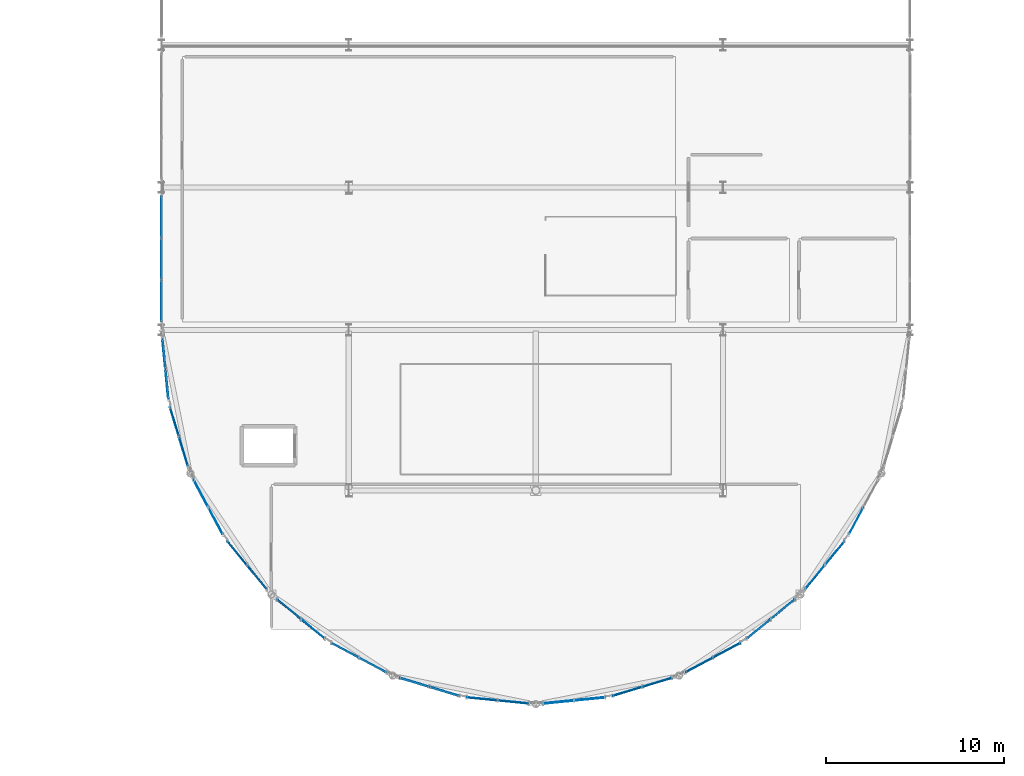
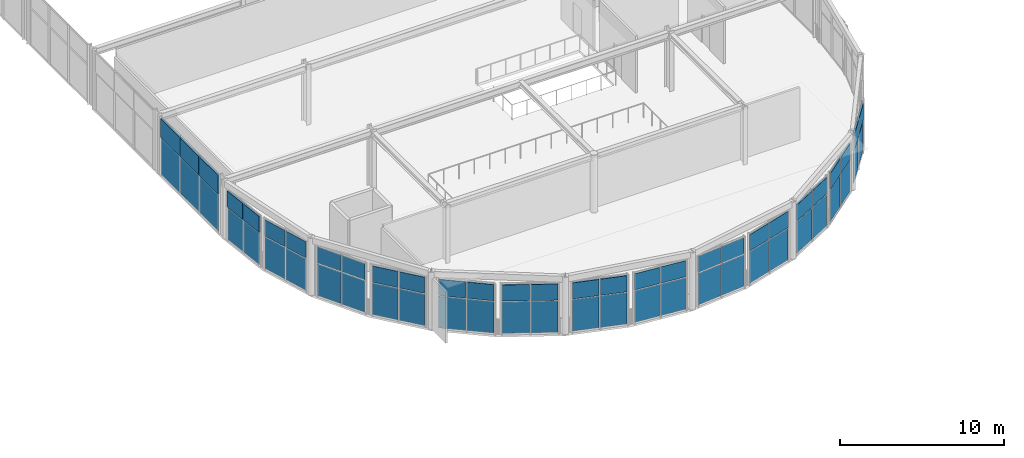
# One storey, part 52 of 105: 59 plates, 15 elements without a shape of their own.
"""IFC4 building model written with IfcOpenShell, lengths in metres."""

from ifc_helpers import new_model, si_unit, direction, frame, origin, origin_2d, place, context, subcontext, project, spatial, rectangle, extrude, material, layer, layer_set, type_object, element, aggregate, save


model = new_model("IFC4")

# Units and contexts
model_context = context("Model", 3, precision=1e-05, world=origin(), true_north=direction((0.0, 1.0)))
body_context = subcontext(model_context, "Body", "Model", "MODEL_VIEW")
ifc_project = project(units=[si_unit("LENGTHUNIT", "METRE"), si_unit("AREAUNIT", "SQUARE_METRE"), si_unit("VOLUMEUNIT", "CUBIC_METRE"), si_unit("PLANEANGLEUNIT", "RADIAN"), si_unit("MASSUNIT", "GRAM", prefix="KILO")], contexts=[model_context])

# Site, building, storey
site_placement = place(None, origin())
site = spatial("IfcSite", under=ifc_project, at=site_placement, CompositionType="ELEMENT")
building_placement = place(site_placement, origin())
building = spatial("IfcBuilding", under=site, at=building_placement, Name="Marlcrest Central Station", CompositionType="ELEMENT")
storey_placement = place(building_placement, frame((0.0, 0.0, 15.0)))
storey = spatial("IfcBuildingStorey", under=building, at=storey_placement, Name="L03", CompositionType="ELEMENT", Elevation=15.0)

# Curtain wall, plates
ifc_material_1 = material(Name="Anodised aluminium and hurricane laminated glass", Category="aluminium")
ifc_layer_1 = layer(ifc_material_1, 0.219970703125, Name="CW-U1")
ifc_layer_set_1 = layer_set([ifc_layer_1], Name="Anodised aluminium and hurricane laminated glass")
curtain_wall_type = type_object("IfcCurtainWallType", Name="CW-U1", PredefinedType="USERDEFINED", material=ifc_layer_set_1)
curtain_wall_1_placement = place(storey_placement, origin())
curtain_wall_1 = element("IfcCurtainWall", 1, at=curtain_wall_1_placement, inside=storey, type_object=curtain_wall_type, Name="cw-L03-0041", ObjectType="UNITISED_CURTAIN_WALL", PredefinedType="USERDEFINED")
ifc_material_2 = material(Name="Hurricane laminated solar-control glass", Category="glass")
ifc_layer_2 = layer(ifc_material_2, 0.031982421875, Name="CP-01")
ifc_layer_set_2 = layer_set([ifc_layer_2], Name="Hurricane laminated solar-control glass")
plate_type_1 = type_object("IfcPlateType", Name="CP-01", PredefinedType="CURTAIN_PANEL", material=ifc_layer_set_2)
plate_1_placement = place(storey_placement, frame((87.300048828125, 19.456298828125, 0.079833984375), z_axis=(0.0, 0.0, 1.0), x_axis=(-0.098138724349, 0.995172744192, 0.0)))
plate_1 = element("IfcPlate", 2, at=plate_1_placement, type_object=plate_type_1, Name="cw-L03-0041-cp-lo-0", PredefinedType="CURTAIN_PANEL", context=body_context, shape_type="SweptSolid", body=[
    extrude(rectangle(XDim=1.629150390625, YDim=0.031982421875, at=origin_2d()), origin(), (0.0, 0.0, 1.0), 2.35009765625),
])
plate_2_placement = place(storey_placement, frame((87.1328125, 21.153076171875, 0.079833984375), z_axis=(0.0, 0.0, 1.0), x_axis=(-0.098138724349, 0.995172744192, 0.0)))
plate_2 = element("IfcPlate", 3, at=plate_2_placement, type_object=plate_type_1, Name="cw-L03-0041-cp-lo-1", PredefinedType="CURTAIN_PANEL", context=body_context, shape_type="SweptSolid", body=[
    extrude(rectangle(XDim=1.629150390625, YDim=0.031982421875, at=origin_2d()), origin(), (0.0, 0.0, 1.0), 2.35009765625),
])

curtain_wall_2_placement = place(storey_placement, origin())
curtain_wall_2 = element("IfcCurtainWall", 4, at=curtain_wall_2_placement, inside=storey, type_object=curtain_wall_type, Name="cw-L03-0042", ObjectType="UNITISED_CURTAIN_WALL", PredefinedType="USERDEFINED")
plate_3_placement = place(storey_placement, frame((88.227294921875, 15.689453125, 0.079833984375), z_axis=(0.0, 0.0, 1.0), x_axis=(-0.290318080597, 0.956930202302, 0.0)))
plate_3 = element("IfcPlate", 5, at=plate_3_placement, type_object=plate_type_1, Name="cw-L03-0042-cp-lo-0", PredefinedType="CURTAIN_PANEL", context=body_context, shape_type="SweptSolid", body=[
    extrude(rectangle(XDim=1.67724609375, YDim=0.031982421875, at=origin_2d()), origin(), (0.0, 0.0, 1.0), 2.35009765625),
])
plate_4_placement = place(storey_placement, frame((87.71826171875, 17.3671875, 0.079833984375), z_axis=(0.0, 0.0, 1.0), x_axis=(-0.290318080597, 0.956930202302, 0.0)))
plate_4 = element("IfcPlate", 6, at=plate_4_placement, type_object=plate_type_1, Name="cw-L03-0042-cp-lo-1", PredefinedType="CURTAIN_PANEL", context=body_context, shape_type="SweptSolid", body=[
    extrude(rectangle(XDim=1.67724609375, YDim=0.031982421875, at=origin_2d()), origin(), (0.0, 0.0, 1.0), 2.35009765625),
])

curtain_wall_3_placement = place(storey_placement, origin())
curtain_wall_3 = element("IfcCurtainWall", 7, at=curtain_wall_3_placement, inside=storey, type_object=curtain_wall_type, Name="cw-L03-0043", ObjectType="UNITISED_CURTAIN_WALL", PredefinedType="USERDEFINED")
plate_5_placement = place(storey_placement, frame((90.02880859375, 11.787841796875, 0.079833984375), z_axis=(0.0, 0.0, 1.0), x_axis=(-0.471242805349, 0.882003525167, 0.0)))
plate_5 = element("IfcPlate", 8, at=plate_5_placement, type_object=plate_type_1, Name="cw-L03-0043-cp-lo-0", PredefinedType="CURTAIN_PANEL", context=body_context, shape_type="SweptSolid", body=[
    extrude(rectangle(XDim=1.677490234375, YDim=0.031982421875, at=origin_2d()), origin(), (0.0, 0.0, 1.0), 2.35009765625),
])
plate_6_placement = place(storey_placement, frame((89.20263671875, 13.33447265625, 0.079833984375), z_axis=(0.0, 0.0, 1.0), x_axis=(-0.471242805349, 0.882003525167, 0.0)))
plate_6 = element("IfcPlate", 9, at=plate_6_placement, type_object=plate_type_1, Name="cw-L03-0043-cp-lo-1", PredefinedType="CURTAIN_PANEL", context=body_context, shape_type="SweptSolid", body=[
    extrude(rectangle(XDim=1.677490234375, YDim=0.031982421875, at=origin_2d()), origin(), (0.0, 0.0, 1.0), 2.35009765625),
])

curtain_wall_4_placement = place(storey_placement, origin())
curtain_wall_4 = element("IfcCurtainWall", 10, at=curtain_wall_4_placement, inside=storey, type_object=curtain_wall_type, Name="cw-L03-0044", ObjectType="UNITISED_CURTAIN_WALL", PredefinedType="USERDEFINED")
plate_7_placement = place(storey_placement, frame((92.33837890625, 8.640869140625, 0.079833984375), z_axis=(0.0, 0.0, 1.0), x_axis=(-0.63447423015, 0.772944015615, 0.0)))
plate_7 = element("IfcPlate", 11, at=plate_7_placement, type_object=plate_type_1, Name="cw-L03-0044-cp-lo-0", PredefinedType="CURTAIN_PANEL", context=body_context, shape_type="SweptSolid", body=[
    extrude(rectangle(XDim=1.677490234375, YDim=0.031982421875, at=origin_2d()), origin(), (0.0, 0.0, 1.0), 2.35009765625),
])
plate_8_placement = place(storey_placement, frame((91.225830078125, 9.99609375, 0.079833984375), z_axis=(0.0, 0.0, 1.0), x_axis=(-0.63447423015, 0.772944015615, 0.0)))
plate_8 = element("IfcPlate", 12, at=plate_8_placement, type_object=plate_type_1, Name="cw-L03-0044-cp-lo-1", PredefinedType="CURTAIN_PANEL", context=body_context, shape_type="SweptSolid", body=[
    extrude(rectangle(XDim=1.677490234375, YDim=0.031982421875, at=origin_2d()), origin(), (0.0, 0.0, 1.0), 2.35009765625),
])

curtain_wall_5_placement = place(storey_placement, origin())
curtain_wall_5 = element("IfcCurtainWall", 13, at=curtain_wall_5_placement, inside=storey, type_object=curtain_wall_type, Name="cw-L03-0045", ObjectType="UNITISED_CURTAIN_WALL", PredefinedType="USERDEFINED")
plate_9_placement = place(storey_placement, frame((95.49609375, 5.725830078125, 0.079833984375), z_axis=(0.0, 0.0, 1.0), x_axis=(-0.772944015615, 0.63447423015, 0.0)))
plate_9 = element("IfcPlate", 14, at=plate_9_placement, type_object=plate_type_1, Name="cw-L03-0045-cp-lo-0", PredefinedType="CURTAIN_PANEL", context=body_context, shape_type="SweptSolid", body=[
    extrude(rectangle(XDim=1.677490234375, YDim=0.031982421875, at=origin_2d()), origin(), (0.0, 0.0, 1.0), 2.35009765625),
])
plate_10_placement = place(storey_placement, frame((94.140869140625, 6.83837890625, 0.079833984375), z_axis=(0.0, 0.0, 1.0), x_axis=(-0.772944015615, 0.63447423015, 0.0)))
plate_10 = element("IfcPlate", 15, at=plate_10_placement, type_object=plate_type_1, Name="cw-L03-0045-cp-lo-1", PredefinedType="CURTAIN_PANEL", context=body_context, shape_type="SweptSolid", body=[
    extrude(rectangle(XDim=1.677490234375, YDim=0.031982421875, at=origin_2d()), origin(), (0.0, 0.0, 1.0), 2.35009765625),
])

curtain_wall_6_placement = place(storey_placement, origin())
curtain_wall_6 = element("IfcCurtainWall", 16, at=curtain_wall_6_placement, inside=storey, type_object=curtain_wall_type, Name="cw-L03-0046", ObjectType="UNITISED_CURTAIN_WALL", PredefinedType="USERDEFINED")
plate_11_placement = place(storey_placement, frame((98.83447265625, 3.70263671875, 0.079833984375), z_axis=(0.0, 0.0, 1.0), x_axis=(-0.882003525167, 0.471242805349, 0.0)))
plate_11 = element("IfcPlate", 17, at=plate_11_placement, type_object=plate_type_1, Name="cw-L03-0046-cp-lo-0", PredefinedType="CURTAIN_PANEL", context=body_context, shape_type="SweptSolid", body=[
    extrude(rectangle(XDim=1.677490234375, YDim=0.031982421875, at=origin_2d()), origin(), (0.0, 0.0, 1.0), 2.35009765625),
])
plate_12_placement = place(storey_placement, frame((97.287841796875, 4.52880859375, 0.079833984375), z_axis=(0.0, 0.0, 1.0), x_axis=(-0.882003525167, 0.471242805349, 0.0)))
plate_12 = element("IfcPlate", 18, at=plate_12_placement, type_object=plate_type_1, Name="cw-L03-0046-cp-lo-1", PredefinedType="CURTAIN_PANEL", context=body_context, shape_type="SweptSolid", body=[
    extrude(rectangle(XDim=1.677490234375, YDim=0.031982421875, at=origin_2d()), origin(), (0.0, 0.0, 1.0), 2.35009765625),
])

curtain_wall_7_placement = place(storey_placement, origin())
curtain_wall_7 = element("IfcCurtainWall", 19, at=curtain_wall_7_placement, inside=storey, type_object=curtain_wall_type, Name="cw-L03-0047", ObjectType="UNITISED_CURTAIN_WALL", PredefinedType="USERDEFINED")
plate_13_placement = place(storey_placement, frame((102.8671875, 2.21826171875, 0.079833984375), z_axis=(0.0, 0.0, 1.0), x_axis=(-0.956930202302, 0.290318080597, 0.0)))
plate_13 = element("IfcPlate", 20, at=plate_13_placement, type_object=plate_type_1, Name="cw-L03-0047-cp-lo-0", PredefinedType="CURTAIN_PANEL", context=body_context, shape_type="SweptSolid", body=[
    extrude(rectangle(XDim=1.67724609375, YDim=0.031982421875, at=origin_2d()), origin(), (0.0, 0.0, 1.0), 2.35009765625),
])
plate_14_placement = place(storey_placement, frame((101.189453125, 2.727294921875, 0.079833984375), z_axis=(0.0, 0.0, 1.0), x_axis=(-0.956930202302, 0.290318080597, 0.0)))
plate_14 = element("IfcPlate", 21, at=plate_14_placement, type_object=plate_type_1, Name="cw-L03-0047-cp-lo-1", PredefinedType="CURTAIN_PANEL", context=body_context, shape_type="SweptSolid", body=[
    extrude(rectangle(XDim=1.67724609375, YDim=0.031982421875, at=origin_2d()), origin(), (0.0, 0.0, 1.0), 2.35009765625),
])

curtain_wall_8_placement = place(storey_placement, origin())
curtain_wall_8 = element("IfcCurtainWall", 22, at=curtain_wall_8_placement, inside=storey, type_object=curtain_wall_type, Name="cw-L03-0048", ObjectType="UNITISED_CURTAIN_WALL", PredefinedType="USERDEFINED")
plate_15_placement = place(storey_placement, frame((106.725341796875, 1.625732421875, 0.079833984375), z_axis=(0.0, 0.0, 1.0), x_axis=(-0.995172744192, 0.098138724349, 0.0)))
plate_15 = element("IfcPlate", 23, at=plate_15_placement, type_object=plate_type_1, Name="cw-L03-0048-cp-lo-0", PredefinedType="CURTAIN_PANEL", context=body_context, shape_type="SweptSolid", body=[
    extrude(rectangle(XDim=1.677490234375, YDim=0.031982421875, at=origin_2d()), origin(), (0.0, 0.0, 1.0), 2.35009765625),
])
plate_16_placement = place(storey_placement, frame((104.98046875, 1.7978515625, 0.079833984375), z_axis=(0.0, 0.0, 1.0), x_axis=(-0.995172744192, 0.098138724349, 0.0)))
plate_16 = element("IfcPlate", 24, at=plate_16_placement, type_object=plate_type_1, Name="cw-L03-0048-cp-lo-1", PredefinedType="CURTAIN_PANEL", context=body_context, shape_type="SweptSolid", body=[
    extrude(rectangle(XDim=1.677490234375, YDim=0.031982421875, at=origin_2d()), origin(), (0.0, 0.0, 1.0), 2.35009765625),
])

curtain_wall_9_placement = place(storey_placement, origin())
curtain_wall_9 = element("IfcCurtainWall", 25, at=curtain_wall_9_placement, inside=storey, type_object=curtain_wall_type, Name="cw-L03-0049", ObjectType="UNITISED_CURTAIN_WALL", PredefinedType="USERDEFINED")
plate_17_placement = place(storey_placement, frame((111.01953125, 1.7978515625, 0.079833984375), z_axis=(0.0, 0.0, 1.0), x_axis=(-0.995172744192, -0.098138724349, 0.0)))
plate_17 = element("IfcPlate", 26, at=plate_17_placement, type_object=plate_type_1, Name="cw-L03-0049-cp-lo-0", PredefinedType="CURTAIN_PANEL", context=body_context, shape_type="SweptSolid", body=[
    extrude(rectangle(XDim=1.677490234375, YDim=0.031982421875, at=origin_2d()), origin(), (0.0, 0.0, 1.0), 2.35009765625),
])
plate_18_placement = place(storey_placement, frame((109.274658203125, 1.625732421875, 0.079833984375), z_axis=(0.0, 0.0, 1.0), x_axis=(-0.995172744192, -0.098138724349, 0.0)))
plate_18 = element("IfcPlate", 27, at=plate_18_placement, type_object=plate_type_1, Name="cw-L03-0049-cp-lo-1", PredefinedType="CURTAIN_PANEL", context=body_context, shape_type="SweptSolid", body=[
    extrude(rectangle(XDim=1.677490234375, YDim=0.031982421875, at=origin_2d()), origin(), (0.0, 0.0, 1.0), 2.35009765625),
])

curtain_wall_10_placement = place(storey_placement, origin())
curtain_wall_10 = element("IfcCurtainWall", 28, at=curtain_wall_10_placement, inside=storey, type_object=curtain_wall_type, Name="cw-L03-0050", ObjectType="UNITISED_CURTAIN_WALL", PredefinedType="USERDEFINED")
plate_19_placement = place(storey_placement, frame((114.810546875, 2.727294921875, 0.079833984375), z_axis=(0.0, 0.0, 1.0), x_axis=(-0.956930202302, -0.290318080597, 0.0)))
plate_19 = element("IfcPlate", 29, at=plate_19_placement, type_object=plate_type_1, Name="cw-L03-0050-cp-lo-0", PredefinedType="CURTAIN_PANEL", context=body_context, shape_type="SweptSolid", body=[
    extrude(rectangle(XDim=1.67724609375, YDim=0.031982421875, at=origin_2d()), origin(), (0.0, 0.0, 1.0), 2.35009765625),
])
plate_20_placement = place(storey_placement, frame((113.1328125, 2.21826171875, 0.079833984375), z_axis=(0.0, 0.0, 1.0), x_axis=(-0.956930202302, -0.290318080597, 0.0)))
plate_20 = element("IfcPlate", 30, at=plate_20_placement, type_object=plate_type_1, Name="cw-L03-0050-cp-lo-1", PredefinedType="CURTAIN_PANEL", context=body_context, shape_type="SweptSolid", body=[
    extrude(rectangle(XDim=1.67724609375, YDim=0.031982421875, at=origin_2d()), origin(), (0.0, 0.0, 1.0), 2.35009765625),
])

curtain_wall_11_placement = place(storey_placement, origin())
curtain_wall_11 = element("IfcCurtainWall", 31, at=curtain_wall_11_placement, inside=storey, type_object=curtain_wall_type, Name="cw-L03-0051", ObjectType="UNITISED_CURTAIN_WALL", PredefinedType="USERDEFINED")
plate_21_placement = place(storey_placement, frame((118.712158203125, 4.52880859375, 0.079833984375), z_axis=(0.0, 0.0, 1.0), x_axis=(-0.882003525167, -0.471242805349, 0.0)))
plate_21 = element("IfcPlate", 32, at=plate_21_placement, type_object=plate_type_1, Name="cw-L03-0051-cp-lo-0", PredefinedType="CURTAIN_PANEL", context=body_context, shape_type="SweptSolid", body=[
    extrude(rectangle(XDim=1.677490234375, YDim=0.031982421875, at=origin_2d()), origin(), (0.0, 0.0, 1.0), 2.35009765625),
])
plate_22_placement = place(storey_placement, frame((117.16552734375, 3.70263671875, 0.079833984375), z_axis=(0.0, 0.0, 1.0), x_axis=(-0.882003525167, -0.471242805349, 0.0)))
plate_22 = element("IfcPlate", 33, at=plate_22_placement, type_object=plate_type_1, Name="cw-L03-0051-cp-lo-1", PredefinedType="CURTAIN_PANEL", context=body_context, shape_type="SweptSolid", body=[
    extrude(rectangle(XDim=1.677490234375, YDim=0.031982421875, at=origin_2d()), origin(), (0.0, 0.0, 1.0), 2.35009765625),
])

curtain_wall_12_placement = place(storey_placement, origin())
curtain_wall_12 = element("IfcCurtainWall", 34, at=curtain_wall_12_placement, inside=storey, type_object=curtain_wall_type, Name="cw-L03-0052", ObjectType="UNITISED_CURTAIN_WALL", PredefinedType="USERDEFINED")
plate_23_placement = place(storey_placement, frame((121.859130859375, 6.83837890625, 0.079833984375), z_axis=(0.0, 0.0, 1.0), x_axis=(-0.772944015615, -0.63447423015, 0.0)))
plate_23 = element("IfcPlate", 35, at=plate_23_placement, type_object=plate_type_1, Name="cw-L03-0052-cp-lo-0", PredefinedType="CURTAIN_PANEL", context=body_context, shape_type="SweptSolid", body=[
    extrude(rectangle(XDim=1.677490234375, YDim=0.031982421875, at=origin_2d()), origin(), (0.0, 0.0, 1.0), 2.35009765625),
])
plate_24_placement = place(storey_placement, frame((120.50390625, 5.725830078125, 0.079833984375), z_axis=(0.0, 0.0, 1.0), x_axis=(-0.772944015615, -0.63447423015, 0.0)))
plate_24 = element("IfcPlate", 36, at=plate_24_placement, type_object=plate_type_1, Name="cw-L03-0052-cp-lo-1", PredefinedType="CURTAIN_PANEL", context=body_context, shape_type="SweptSolid", body=[
    extrude(rectangle(XDim=1.677490234375, YDim=0.031982421875, at=origin_2d()), origin(), (0.0, 0.0, 1.0), 2.35009765625),
])

curtain_wall_13_placement = place(storey_placement, origin())
curtain_wall_13 = element("IfcCurtainWall", 37, at=curtain_wall_13_placement, inside=storey, type_object=curtain_wall_type, Name="cw-L03-0053", ObjectType="UNITISED_CURTAIN_WALL", PredefinedType="USERDEFINED")
plate_25_placement = place(storey_placement, frame((124.774169921875, 9.99609375, 0.079833984375), z_axis=(0.0, 0.0, 1.0), x_axis=(-0.63447423015, -0.772944015615, 0.0)))
plate_25 = element("IfcPlate", 38, at=plate_25_placement, type_object=plate_type_1, Name="cw-L03-0053-cp-lo-0", PredefinedType="CURTAIN_PANEL", context=body_context, shape_type="SweptSolid", body=[
    extrude(rectangle(XDim=1.677490234375, YDim=0.031982421875, at=origin_2d()), origin(), (0.0, 0.0, 1.0), 2.35009765625),
])
plate_26_placement = place(storey_placement, frame((123.66162109375, 8.640869140625, 0.079833984375), z_axis=(0.0, 0.0, 1.0), x_axis=(-0.63447423015, -0.772944015615, 0.0)))
plate_26 = element("IfcPlate", 39, at=plate_26_placement, type_object=plate_type_1, Name="cw-L03-0053-cp-lo-1", PredefinedType="CURTAIN_PANEL", context=body_context, shape_type="SweptSolid", body=[
    extrude(rectangle(XDim=1.677490234375, YDim=0.031982421875, at=origin_2d()), origin(), (0.0, 0.0, 1.0), 2.35009765625),
])

# Curtain wall, plate
curtain_wall_14_placement = place(storey_placement, origin())
curtain_wall_14 = element("IfcCurtainWall", 40, at=curtain_wall_14_placement, inside=storey, type_object=curtain_wall_type, Name="cw-L03-0054", ObjectType="UNITISED_CURTAIN_WALL", PredefinedType="USERDEFINED")
plate_27_placement = place(storey_placement, frame((125.97119140625, 11.787841796875, 0.079833984375), z_axis=(0.0, 0.0, 1.0), x_axis=(-0.471242805349, -0.882003525167, 0.0)))
plate_27 = element("IfcPlate", 41, at=plate_27_placement, type_object=plate_type_1, Name="cw-L03-0054-cp-lo-1", PredefinedType="CURTAIN_PANEL", context=body_context, shape_type="SweptSolid", body=[
    extrude(rectangle(XDim=1.677490234375, YDim=0.031982421875, at=origin_2d()), origin(), (0.0, 0.0, 1.0), 2.35009765625),
])
aggregate(curtain_wall_14, [plate_27])

# Curtain wall, plates
curtain_wall_15_placement = place(storey_placement, origin())
curtain_wall_15 = element("IfcCurtainWall", 42, at=curtain_wall_15_placement, inside=storey, type_object=curtain_wall_type, Name="cw-L03-0101", ObjectType="UNITISED_CURTAIN_WALL", PredefinedType="USERDEFINED")
plate_28_placement = place(storey_placement, frame((87.0, 24.13330078125, 0.080078125), z_axis=(0.0, 0.0, 1.0), x_axis=(0.0, 1.0, 0.0)))
plate_28 = element("IfcPlate", 43, at=plate_28_placement, type_object=plate_type_1, Name="cw-L03-0101-cp-lo-0", PredefinedType="CURTAIN_PANEL", context=body_context, shape_type="SweptSolid", body=[
    extrude(rectangle(XDim=2.290771484375, YDim=0.031982421875, at=origin_2d()), origin(), (0.0, 0.0, 1.0), 2.7080078125),
])
plate_29_placement = place(storey_placement, frame((87.0, 26.5, 0.080078125), z_axis=(0.0, 0.0, 1.0), x_axis=(0.0, 1.0, 0.0)))
plate_29 = element("IfcPlate", 44, at=plate_29_placement, type_object=plate_type_1, Name="cw-L03-0101-cp-lo-1", PredefinedType="CURTAIN_PANEL", context=body_context, shape_type="SweptSolid", body=[
    extrude(rectangle(XDim=2.290771484375, YDim=0.031982421875, at=origin_2d()), origin(), (0.0, 0.0, 1.0), 2.7080078125),
])
plate_30_placement = place(storey_placement, frame((87.0, 28.86669921875, 0.080078125), z_axis=(0.0, 0.0, 1.0), x_axis=(0.0, 1.0, 0.0)))
plate_30 = element("IfcPlate", 45, at=plate_30_placement, type_object=plate_type_1, Name="cw-L03-0101-cp-lo-2", PredefinedType="CURTAIN_PANEL", context=body_context, shape_type="SweptSolid", body=[
    extrude(rectangle(XDim=2.290771484375, YDim=0.031982421875, at=origin_2d()), origin(), (0.0, 0.0, 1.0), 2.7080078125),
])

# Plate
ifc_material_3 = material(Name="Insulated bronze-anodised aluminium spandrel panel", Category="aluminium")
ifc_layer_3 = layer(ifc_material_3, 0.06005859375, Name="CP-04")
ifc_layer_set_3 = layer_set([ifc_layer_3], Name="Insulated bronze-anodised aluminium spandrel panel")
plate_type_2 = type_object("IfcPlateType", Name="CP-04", PredefinedType="CURTAIN_PANEL", material=ifc_layer_set_3)
plate_31_placement = place(storey_placement, frame((88.227294921875, 15.689453125, 2.510009765625), z_axis=(0.0, 0.0, 1.0), x_axis=(-0.290318080597, 0.956930202302, 0.0)))
plate_31 = element("IfcPlate", 46, at=plate_31_placement, type_object=plate_type_2, Name="cw-L03-0042-cp-hi-0", PredefinedType="CURTAIN_PANEL", context=body_context, shape_type="SweptSolid", body=[
    extrude(rectangle(XDim=1.67724609375, YDim=0.06005859375, at=origin_2d()), origin(), (0.0, 0.0, 1.0), 1.2099609375),
])

plate_32_placement = place(storey_placement, frame((87.71826171875, 17.3671875, 2.510009765625), z_axis=(0.0, 0.0, 1.0), x_axis=(-0.290318080597, 0.956930202302, 0.0)))
plate_32 = element("IfcPlate", 47, at=plate_32_placement, type_object=plate_type_2, Name="cw-L03-0042-cp-hi-1", PredefinedType="CURTAIN_PANEL", context=body_context, shape_type="SweptSolid", body=[
    extrude(rectangle(XDim=1.67724609375, YDim=0.06005859375, at=origin_2d()), origin(), (0.0, 0.0, 1.0), 1.2099609375),
])

aggregate(curtain_wall_2, [plate_3, plate_31, plate_4, plate_32])

plate_33_placement = place(storey_placement, frame((106.725341796875, 1.625732421875, 2.510009765625), z_axis=(0.0, 0.0, 1.0), x_axis=(-0.995172744192, 0.098138724349, 0.0)))
plate_33 = element("IfcPlate", 48, at=plate_33_placement, type_object=plate_type_2, Name="cw-L03-0048-cp-hi-0", PredefinedType="CURTAIN_PANEL", context=body_context, shape_type="SweptSolid", body=[
    extrude(rectangle(XDim=1.677490234375, YDim=0.06005859375, at=origin_2d()), origin(), (0.0, 0.0, 1.0), 1.2099609375),
])

plate_34_placement = place(storey_placement, frame((104.98046875, 1.7978515625, 2.510009765625), z_axis=(0.0, 0.0, 1.0), x_axis=(-0.995172744192, 0.098138724349, 0.0)))
plate_34 = element("IfcPlate", 49, at=plate_34_placement, type_object=plate_type_2, Name="cw-L03-0048-cp-hi-1", PredefinedType="CURTAIN_PANEL", context=body_context, shape_type="SweptSolid", body=[
    extrude(rectangle(XDim=1.677490234375, YDim=0.06005859375, at=origin_2d()), origin(), (0.0, 0.0, 1.0), 1.2099609375),
])

aggregate(curtain_wall_8, [plate_15, plate_33, plate_16, plate_34])

ifc_layer_4 = layer(ifc_material_3, 0.050048828125, Name="CP-05")
ifc_layer_set_4 = layer_set([ifc_layer_4], Name="Insulated bronze-anodised aluminium spandrel panel")
plate_type_3 = type_object("IfcPlateType", Name="CP-05", PredefinedType="CURTAIN_PANEL", material=ifc_layer_set_4)
plate_35_placement = place(storey_placement, frame((90.02880859375, 11.787841796875, 2.510009765625), z_axis=(0.0, 0.0, 1.0), x_axis=(-0.471242805349, 0.882003525167, 0.0)))
plate_35 = element("IfcPlate", 50, at=plate_35_placement, type_object=plate_type_3, Name="cw-L03-0043-cp-hi-0", PredefinedType="CURTAIN_PANEL", context=body_context, shape_type="SweptSolid", body=[
    extrude(rectangle(XDim=1.677490234375, YDim=0.050048828125, at=origin_2d()), origin(), (0.0, 0.0, 1.0), 1.2099609375),
])

plate_36_placement = place(storey_placement, frame((89.20263671875, 13.33447265625, 2.510009765625), z_axis=(0.0, 0.0, 1.0), x_axis=(-0.471242805349, 0.882003525167, 0.0)))
plate_36 = element("IfcPlate", 51, at=plate_36_placement, type_object=plate_type_3, Name="cw-L03-0043-cp-hi-1", PredefinedType="CURTAIN_PANEL", context=body_context, shape_type="SweptSolid", body=[
    extrude(rectangle(XDim=1.677490234375, YDim=0.050048828125, at=origin_2d()), origin(), (0.0, 0.0, 1.0), 1.2099609375),
])

aggregate(curtain_wall_3, [plate_5, plate_35, plate_6, plate_36])

plate_37_placement = place(storey_placement, frame((111.01953125, 1.7978515625, 2.510009765625), z_axis=(0.0, 0.0, 1.0), x_axis=(-0.995172744192, -0.098138724349, 0.0)))
plate_37 = element("IfcPlate", 52, at=plate_37_placement, type_object=plate_type_3, Name="cw-L03-0049-cp-hi-0", PredefinedType="CURTAIN_PANEL", context=body_context, shape_type="SweptSolid", body=[
    extrude(rectangle(XDim=1.677490234375, YDim=0.050048828125, at=origin_2d()), origin(), (0.0, 0.0, 1.0), 1.2099609375),
])

plate_38_placement = place(storey_placement, frame((109.274658203125, 1.625732421875, 2.510009765625), z_axis=(0.0, 0.0, 1.0), x_axis=(-0.995172744192, -0.098138724349, 0.0)))
plate_38 = element("IfcPlate", 53, at=plate_38_placement, type_object=plate_type_3, Name="cw-L03-0049-cp-hi-1", PredefinedType="CURTAIN_PANEL", context=body_context, shape_type="SweptSolid", body=[
    extrude(rectangle(XDim=1.677490234375, YDim=0.050048828125, at=origin_2d()), origin(), (0.0, 0.0, 1.0), 1.2099609375),
])

aggregate(curtain_wall_9, [plate_17, plate_37, plate_18, plate_38])

ifc_material_4 = material(Name="Insulated acoustic spandrel panel")
ifc_layer_5 = layer(ifc_material_4, 0.074951171875, Name="CP-06")
ifc_layer_set_5 = layer_set([ifc_layer_5], Name="Insulated acoustic spandrel panel")
plate_type_4 = type_object("IfcPlateType", Name="CP-06", PredefinedType="CURTAIN_PANEL", material=ifc_layer_set_5)
plate_39_placement = place(storey_placement, frame((92.33837890625, 8.640869140625, 2.510009765625), z_axis=(0.0, 0.0, 1.0), x_axis=(-0.63447423015, 0.772944015615, 0.0)))
plate_39 = element("IfcPlate", 54, at=plate_39_placement, type_object=plate_type_4, Name="cw-L03-0044-cp-hi-0", PredefinedType="CURTAIN_PANEL", context=body_context, shape_type="SweptSolid", body=[
    extrude(rectangle(XDim=1.677490234375, YDim=0.074951171875, at=origin_2d()), origin(), (0.0, 0.0, 1.0), 1.2099609375),
])

plate_40_placement = place(storey_placement, frame((91.225830078125, 9.99609375, 2.510009765625), z_axis=(0.0, 0.0, 1.0), x_axis=(-0.63447423015, 0.772944015615, 0.0)))
plate_40 = element("IfcPlate", 55, at=plate_40_placement, type_object=plate_type_4, Name="cw-L03-0044-cp-hi-1", PredefinedType="CURTAIN_PANEL", context=body_context, shape_type="SweptSolid", body=[
    extrude(rectangle(XDim=1.677490234375, YDim=0.074951171875, at=origin_2d()), origin(), (0.0, 0.0, 1.0), 1.2099609375),
])

aggregate(curtain_wall_4, [plate_7, plate_39, plate_8, plate_40])

plate_41_placement = place(storey_placement, frame((114.810546875, 2.727294921875, 2.510009765625), z_axis=(0.0, 0.0, 1.0), x_axis=(-0.956930202302, -0.290318080597, 0.0)))
plate_41 = element("IfcPlate", 56, at=plate_41_placement, type_object=plate_type_4, Name="cw-L03-0050-cp-hi-0", PredefinedType="CURTAIN_PANEL", context=body_context, shape_type="SweptSolid", body=[
    extrude(rectangle(XDim=1.67724609375, YDim=0.074951171875, at=origin_2d()), origin(), (0.0, 0.0, 1.0), 1.2099609375),
])

plate_42_placement = place(storey_placement, frame((113.1328125, 2.21826171875, 2.510009765625), z_axis=(0.0, 0.0, 1.0), x_axis=(-0.956930202302, -0.290318080597, 0.0)))
plate_42 = element("IfcPlate", 57, at=plate_42_placement, type_object=plate_type_4, Name="cw-L03-0050-cp-hi-1", PredefinedType="CURTAIN_PANEL", context=body_context, shape_type="SweptSolid", body=[
    extrude(rectangle(XDim=1.67724609375, YDim=0.074951171875, at=origin_2d()), origin(), (0.0, 0.0, 1.0), 1.2099609375),
])

aggregate(curtain_wall_10, [plate_19, plate_41, plate_20, plate_42])

ifc_material_5 = material(Name="Insulated hurricane-rated spandrel panel")
ifc_layer_6 = layer(ifc_material_5, 0.090087890625, Name="CP-07")
ifc_layer_set_6 = layer_set([ifc_layer_6], Name="Insulated hurricane-rated spandrel panel")
plate_type_5 = type_object("IfcPlateType", Name="CP-07", PredefinedType="CURTAIN_PANEL", material=ifc_layer_set_6)
plate_43_placement = place(storey_placement, frame((95.49609375, 5.725830078125, 2.510009765625), z_axis=(0.0, 0.0, 1.0), x_axis=(-0.772944015615, 0.63447423015, 0.0)))
plate_43 = element("IfcPlate", 58, at=plate_43_placement, type_object=plate_type_5, Name="cw-L03-0045-cp-hi-0", PredefinedType="CURTAIN_PANEL", context=body_context, shape_type="SweptSolid", body=[
    extrude(rectangle(XDim=1.677490234375, YDim=0.090087890625, at=origin_2d()), origin(), (0.0, 0.0, 1.0), 1.2099609375),
])

plate_44_placement = place(storey_placement, frame((94.140869140625, 6.83837890625, 2.510009765625), z_axis=(0.0, 0.0, 1.0), x_axis=(-0.772944015615, 0.63447423015, 0.0)))
plate_44 = element("IfcPlate", 59, at=plate_44_placement, type_object=plate_type_5, Name="cw-L03-0045-cp-hi-1", PredefinedType="CURTAIN_PANEL", context=body_context, shape_type="SweptSolid", body=[
    extrude(rectangle(XDim=1.677490234375, YDim=0.090087890625, at=origin_2d()), origin(), (0.0, 0.0, 1.0), 1.2099609375),
])

aggregate(curtain_wall_5, [plate_9, plate_43, plate_10, plate_44])

plate_45_placement = place(storey_placement, frame((118.712158203125, 4.52880859375, 2.510009765625), z_axis=(0.0, 0.0, 1.0), x_axis=(-0.882003525167, -0.471242805349, 0.0)))
plate_45 = element("IfcPlate", 60, at=plate_45_placement, type_object=plate_type_5, Name="cw-L03-0051-cp-hi-0", PredefinedType="CURTAIN_PANEL", context=body_context, shape_type="SweptSolid", body=[
    extrude(rectangle(XDim=1.677490234375, YDim=0.090087890625, at=origin_2d()), origin(), (0.0, 0.0, 1.0), 1.2099609375),
])

plate_46_placement = place(storey_placement, frame((117.16552734375, 3.70263671875, 2.510009765625), z_axis=(0.0, 0.0, 1.0), x_axis=(-0.882003525167, -0.471242805349, 0.0)))
plate_46 = element("IfcPlate", 61, at=plate_46_placement, type_object=plate_type_5, Name="cw-L03-0051-cp-hi-1", PredefinedType="CURTAIN_PANEL", context=body_context, shape_type="SweptSolid", body=[
    extrude(rectangle(XDim=1.677490234375, YDim=0.090087890625, at=origin_2d()), origin(), (0.0, 0.0, 1.0), 1.2099609375),
])

aggregate(curtain_wall_11, [plate_21, plate_45, plate_22, plate_46])

ifc_material_6 = material(Name="Insulated shadow-box spandrel panel")
ifc_layer_7 = layer(ifc_material_6, 0.10498046875, Name="CP-08")
ifc_layer_set_7 = layer_set([ifc_layer_7], Name="Insulated shadow-box spandrel panel")
plate_type_6 = type_object("IfcPlateType", Name="CP-08", PredefinedType="CURTAIN_PANEL", material=ifc_layer_set_7)
plate_47_placement = place(storey_placement, frame((98.83447265625, 3.70263671875, 2.510009765625), z_axis=(0.0, 0.0, 1.0), x_axis=(-0.882003525167, 0.471242805349, 0.0)))
plate_47 = element("IfcPlate", 62, at=plate_47_placement, type_object=plate_type_6, Name="cw-L03-0046-cp-hi-0", PredefinedType="CURTAIN_PANEL", context=body_context, shape_type="SweptSolid", body=[
    extrude(rectangle(XDim=1.677490234375, YDim=0.10498046875, at=origin_2d()), origin(), (0.0, 0.0, 1.0), 1.2099609375),
])

plate_48_placement = place(storey_placement, frame((97.287841796875, 4.52880859375, 2.510009765625), z_axis=(0.0, 0.0, 1.0), x_axis=(-0.882003525167, 0.471242805349, 0.0)))
plate_48 = element("IfcPlate", 63, at=plate_48_placement, type_object=plate_type_6, Name="cw-L03-0046-cp-hi-1", PredefinedType="CURTAIN_PANEL", context=body_context, shape_type="SweptSolid", body=[
    extrude(rectangle(XDim=1.677490234375, YDim=0.10498046875, at=origin_2d()), origin(), (0.0, 0.0, 1.0), 1.2099609375),
])

aggregate(curtain_wall_6, [plate_11, plate_47, plate_12, plate_48])

plate_49_placement = place(storey_placement, frame((121.859130859375, 6.83837890625, 2.510009765625), z_axis=(0.0, 0.0, 1.0), x_axis=(-0.772944015615, -0.63447423015, 0.0)))
plate_49 = element("IfcPlate", 64, at=plate_49_placement, type_object=plate_type_6, Name="cw-L03-0052-cp-hi-0", PredefinedType="CURTAIN_PANEL", context=body_context, shape_type="SweptSolid", body=[
    extrude(rectangle(XDim=1.677490234375, YDim=0.10498046875, at=origin_2d()), origin(), (0.0, 0.0, 1.0), 1.2099609375),
])

plate_50_placement = place(storey_placement, frame((120.50390625, 5.725830078125, 2.510009765625), z_axis=(0.0, 0.0, 1.0), x_axis=(-0.772944015615, -0.63447423015, 0.0)))
plate_50 = element("IfcPlate", 65, at=plate_50_placement, type_object=plate_type_6, Name="cw-L03-0052-cp-hi-1", PredefinedType="CURTAIN_PANEL", context=body_context, shape_type="SweptSolid", body=[
    extrude(rectangle(XDim=1.677490234375, YDim=0.10498046875, at=origin_2d()), origin(), (0.0, 0.0, 1.0), 1.2099609375),
])

aggregate(curtain_wall_12, [plate_23, plate_49, plate_24, plate_50])

ifc_material_7 = material(Name="Insulated fire-safing spandrel panel")
ifc_layer_8 = layer(ifc_material_7, 0.1201171875, Name="CP-09")
ifc_layer_set_8 = layer_set([ifc_layer_8], Name="Insulated fire-safing spandrel panel")
plate_type_7 = type_object("IfcPlateType", Name="CP-09", PredefinedType="CURTAIN_PANEL", material=ifc_layer_set_8)
plate_51_placement = place(storey_placement, frame((87.300048828125, 19.456298828125, 2.510009765625), z_axis=(0.0, 0.0, 1.0), x_axis=(-0.098138724349, 0.995172744192, 0.0)))
plate_51 = element("IfcPlate", 66, at=plate_51_placement, type_object=plate_type_7, Name="cw-L03-0041-cp-hi-0", PredefinedType="CURTAIN_PANEL", context=body_context, shape_type="SweptSolid", body=[
    extrude(rectangle(XDim=1.629150390625, YDim=0.1201171875, at=origin_2d()), origin(), (0.0, 0.0, 1.0), 1.2099609375),
])

plate_52_placement = place(storey_placement, frame((87.1328125, 21.153076171875, 2.510009765625), z_axis=(0.0, 0.0, 1.0), x_axis=(-0.098138724349, 0.995172744192, 0.0)))
plate_52 = element("IfcPlate", 67, at=plate_52_placement, type_object=plate_type_7, Name="cw-L03-0041-cp-hi-1", PredefinedType="CURTAIN_PANEL", context=body_context, shape_type="SweptSolid", body=[
    extrude(rectangle(XDim=1.629150390625, YDim=0.1201171875, at=origin_2d()), origin(), (0.0, 0.0, 1.0), 1.2099609375),
])

aggregate(curtain_wall_1, [plate_1, plate_51, plate_2, plate_52])

plate_53_placement = place(storey_placement, frame((102.8671875, 2.21826171875, 2.510009765625), z_axis=(0.0, 0.0, 1.0), x_axis=(-0.956930202302, 0.290318080597, 0.0)))
plate_53 = element("IfcPlate", 68, at=plate_53_placement, type_object=plate_type_7, Name="cw-L03-0047-cp-hi-0", PredefinedType="CURTAIN_PANEL", context=body_context, shape_type="SweptSolid", body=[
    extrude(rectangle(XDim=1.67724609375, YDim=0.1201171875, at=origin_2d()), origin(), (0.0, 0.0, 1.0), 1.2099609375),
])

plate_54_placement = place(storey_placement, frame((101.189453125, 2.727294921875, 2.510009765625), z_axis=(0.0, 0.0, 1.0), x_axis=(-0.956930202302, 0.290318080597, 0.0)))
plate_54 = element("IfcPlate", 69, at=plate_54_placement, type_object=plate_type_7, Name="cw-L03-0047-cp-hi-1", PredefinedType="CURTAIN_PANEL", context=body_context, shape_type="SweptSolid", body=[
    extrude(rectangle(XDim=1.67724609375, YDim=0.1201171875, at=origin_2d()), origin(), (0.0, 0.0, 1.0), 1.2099609375),
])

aggregate(curtain_wall_7, [plate_13, plate_53, plate_14, plate_54])

plate_55_placement = place(storey_placement, frame((124.774169921875, 9.99609375, 2.510009765625), z_axis=(0.0, 0.0, 1.0), x_axis=(-0.63447423015, -0.772944015615, 0.0)))
plate_55 = element("IfcPlate", 70, at=plate_55_placement, type_object=plate_type_7, Name="cw-L03-0053-cp-hi-0", PredefinedType="CURTAIN_PANEL", context=body_context, shape_type="SweptSolid", body=[
    extrude(rectangle(XDim=1.677490234375, YDim=0.1201171875, at=origin_2d()), origin(), (0.0, 0.0, 1.0), 1.2099609375),
])

plate_56_placement = place(storey_placement, frame((123.66162109375, 8.640869140625, 2.510009765625), z_axis=(0.0, 0.0, 1.0), x_axis=(-0.63447423015, -0.772944015615, 0.0)))
plate_56 = element("IfcPlate", 71, at=plate_56_placement, type_object=plate_type_7, Name="cw-L03-0053-cp-hi-1", PredefinedType="CURTAIN_PANEL", context=body_context, shape_type="SweptSolid", body=[
    extrude(rectangle(XDim=1.677490234375, YDim=0.1201171875, at=origin_2d()), origin(), (0.0, 0.0, 1.0), 1.2099609375),
])

aggregate(curtain_wall_13, [plate_25, plate_55, plate_26, plate_56])

plate_57_placement = place(storey_placement, frame((87.0, 24.13330078125, 2.8681640625), z_axis=(0.0, 0.0, 1.0), x_axis=(0.0, 1.0, 0.0)))
plate_57 = element("IfcPlate", 72, at=plate_57_placement, type_object=plate_type_7, Name="cw-L03-0101-cp-hi-0", PredefinedType="CURTAIN_PANEL", context=body_context, shape_type="SweptSolid", body=[
    extrude(rectangle(XDim=2.290771484375, YDim=0.1201171875, at=origin_2d()), origin(), (0.0, 0.0, 1.0), 1.402099609375),
])

plate_58_placement = place(storey_placement, frame((87.0, 26.5, 2.8681640625), z_axis=(0.0, 0.0, 1.0), x_axis=(0.0, 1.0, 0.0)))
plate_58 = element("IfcPlate", 73, at=plate_58_placement, type_object=plate_type_7, Name="cw-L03-0101-cp-hi-1", PredefinedType="CURTAIN_PANEL", context=body_context, shape_type="SweptSolid", body=[
    extrude(rectangle(XDim=2.290771484375, YDim=0.1201171875, at=origin_2d()), origin(), (0.0, 0.0, 1.0), 1.402099609375),
])

plate_59_placement = place(storey_placement, frame((87.0, 28.86669921875, 2.8681640625), z_axis=(0.0, 0.0, 1.0), x_axis=(0.0, 1.0, 0.0)))
plate_59 = element("IfcPlate", 74, at=plate_59_placement, type_object=plate_type_7, Name="cw-L03-0101-cp-hi-2", PredefinedType="CURTAIN_PANEL", context=body_context, shape_type="SweptSolid", body=[
    extrude(rectangle(XDim=2.290771484375, YDim=0.1201171875, at=origin_2d()), origin(), (0.0, 0.0, 1.0), 1.402099609375),
])

aggregate(curtain_wall_15, [plate_28, plate_57, plate_29, plate_58, plate_30, plate_59])

save(model, "model.ifc")
